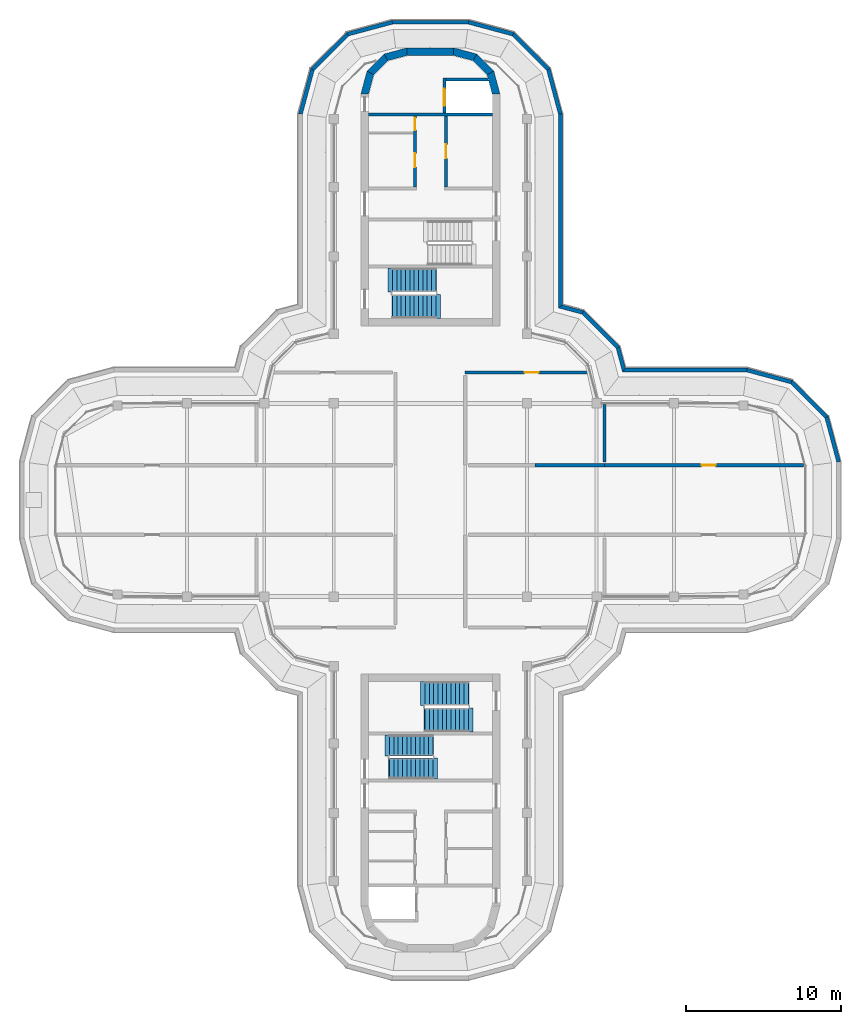
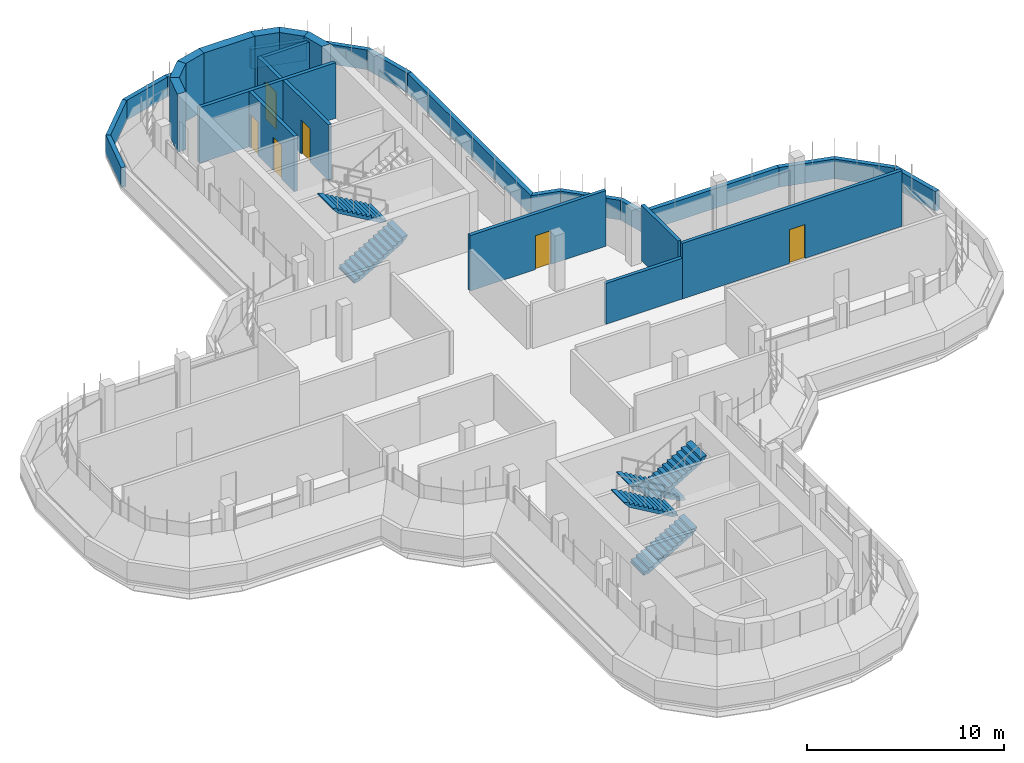
# One storey, part 14 of 19: 31 walls, 6 doors, 6 stair flights, 6 openings, 3 elements without a shape of their own.
"""IFC4 building model written with IfcOpenShell, lengths in metres."""

from ifc_helpers import new_model, si_unit, direction, frame, frame_2d, origin, place, context, subcontext, project, spatial, polyline, rectangle, outline, extrude, material, layer, layer_set, type_object, element, fill, aggregate, save


model = new_model("IFC4")

# Units and contexts
model_context = context("Model", 3, precision=1e-05, world=origin(), true_north=direction((0.0, 1.0)))
body_context = subcontext(model_context, "Body", "Model", "MODEL_VIEW")
ifc_project = project(units=[si_unit("LENGTHUNIT", "METRE"), si_unit("AREAUNIT", "SQUARE_METRE"), si_unit("VOLUMEUNIT", "CUBIC_METRE"), si_unit("PLANEANGLEUNIT", "RADIAN"), si_unit("MASSUNIT", "GRAM", prefix="KILO")], contexts=[model_context])

# Site, building, storey
site_placement = place(None, origin())
site = spatial("IfcSite", under=ifc_project, at=site_placement, CompositionType="ELEMENT")
building_placement = place(site_placement, origin())
building = spatial("IfcBuilding", under=site, at=building_placement, Name="Zarbagh Exchange Tower", CompositionType="ELEMENT")
storey_placement = place(building_placement, frame((0.0, 0.0, 295.199951171875)))
storey = spatial("IfcBuildingStorey", under=building, at=storey_placement, Name="L72", CompositionType="ELEMENT", Elevation=295.199951171875)

# Wall, opening, door
ifc_material_1 = material(Name="Concrete block partition", Category="concrete")
ifc_layer_1 = layer(ifc_material_1, 0.199951171875)
ifc_layer_set_1 = layer_set([ifc_layer_1], Name="Fire-rated block partition 200 EI 60")
wall_type_1 = type_object("IfcWallType", Name="Fire-rated block partition 200 EI 60", PredefinedType="PARTITIONING", material=ifc_layer_set_1)
wall_1_placement = place(storey_placement, frame((10.238037109375, 8.25, 0.0), z_axis=(0.0, 0.0, 1.0), x_axis=(-1.0, 0.0, 0.0)))
wall_1 = element("IfcWall", 1, at=wall_1_placement, inside=storey, type_object=wall_type_1, Name="WL-L72-W001", PredefinedType="PARTITIONING", context=body_context, shape_type="SweptSolid", body=[
    extrude(rectangle(XDim=7.988037109375, YDim=0.199951171875, at=frame_2d((3.994140625, 0.0))), origin(), (0.0, 0.0, 1.0), 3.449951171875),
])
opening_1_placement = place(wall_1_placement, frame((3.239013671875, 0.0, 0.0)))
opening_1 = element("IfcOpeningElement", 2, at=opening_1_placement, cuts=wall_1, Name="Opening D01", PredefinedType="OPENING", context=body_context, shape_type="SweptSolid", body=[
    extrude(rectangle(XDim=0.89990234375, YDim=2.10009765625, at=frame_2d((0.449951171875, 1.050048828125))), frame((0.0, 0.10986328125, 0.0), z_axis=(0.0, -1.0, 0.0), x_axis=(1.0, 0.0, 0.0)), (0.0, 0.0, 1.0), 0.219970703125),
])
ifc_material_2 = material(Name="Steel door set", Category="steel")
door_type_1 = type_object("IfcDoorType", Name="Door single 900x2100 EI 60", OperationType="SINGLE_SWING_LEFT", PredefinedType="DOOR", material=ifc_material_2)
door_1_placement = place(opening_1_placement, origin())
door_1 = element("IfcDoor", 3, at=door_1_placement, inside=storey, type_object=door_type_1, Name="D01", OperationType="SINGLE_SWING_LEFT", OverallHeight=2.10009765625, OverallWidth=0.89990234375, PredefinedType="DOOR", context=body_context, shape_type="SweptSolid", body=[
    extrude(rectangle(XDim=0.89990234375, YDim=2.10009765625, at=frame_2d((0.449951171875, 1.050048828125))), frame((0.0, 0.02490234375, 0.0), z_axis=(0.0, -1.0, 0.0), x_axis=(1.0, 0.0, 0.0)), (0.0, 0.0, 1.0), 0.050048828125),
])
fill(opening_1, door_1)

# Walls
wall_2_placement = place(storey_placement, frame((11.25, 2.25, 0.0), z_axis=(0.0, 0.0, 1.0), x_axis=(-1.0, 0.0, 0.0)))
element("IfcWall", 4, at=wall_2_placement, inside=storey, type_object=wall_type_1, Name="WL-L72-W009", PredefinedType="PARTITIONING", context=body_context, shape_type="SweptSolid", body=[
    extrude(rectangle(XDim=4.5, YDim=0.199951171875, at=frame_2d((2.25, 0.0))), origin(), (0.0, 0.0, 1.0), 2.530029296875),
])
wall_3_placement = place(storey_placement, frame((11.25, 6.169921875, 0.0), z_axis=(0.0, 0.0, 1.0), x_axis=(0.0, -1.0, 0.0)))
element("IfcWall", 5, at=wall_3_placement, inside=storey, type_object=wall_type_1, Name="WL-L72-W010", PredefinedType="PARTITIONING", context=body_context, shape_type="SweptSolid", body=[
    extrude(rectangle(XDim=3.719970703125, YDim=0.199951171875, at=frame_2d((1.85986328125, 0.0))), origin(), (0.0, 0.0, 1.0), 3.449951171875),
])

# Wall, opening, door
wall_4_placement = place(storey_placement, frame((11.25, 2.25, 0.0), z_axis=(0.0, 0.0, 1.0), x_axis=(1.0, 0.0, 0.0)))
wall_4 = element("IfcWall", 6, at=wall_4_placement, inside=storey, type_object=wall_type_1, Name="WL-L72-W021", PredefinedType="PARTITIONING", context=body_context, shape_type="SweptSolid", body=[
    extrude(rectangle(XDim=12.889892578125, YDim=0.199951171875, at=frame_2d((6.44482421875, 0.0))), origin(), (0.0, 0.0, 1.0), 3.449951171875),
])
opening_2_placement = place(wall_4_placement, frame((6.300048828125, 0.0, 0.0)))
opening_2 = element("IfcOpeningElement", 7, at=opening_2_placement, cuts=wall_4, Name="Opening D42", PredefinedType="OPENING", context=body_context, shape_type="SweptSolid", body=[
    extrude(rectangle(XDim=0.89990234375, YDim=2.10009765625, at=frame_2d((0.449951171875, 1.050048828125))), frame((0.0, 0.10986328125, 0.0), z_axis=(0.0, -1.0, 0.0), x_axis=(1.0, 0.0, 0.0)), (0.0, 0.0, 1.0), 0.219970703125),
])
door_2_placement = place(opening_2_placement, origin())
door_2 = element("IfcDoor", 8, at=door_2_placement, inside=storey, type_object=door_type_1, Name="D05", OperationType="SINGLE_SWING_LEFT", OverallHeight=2.10009765625, OverallWidth=0.89990234375, PredefinedType="DOOR", context=body_context, shape_type="SweptSolid", body=[
    extrude(rectangle(XDim=0.89990234375, YDim=2.10009765625, at=frame_2d((0.449951171875, 1.050048828125))), frame((0.0, 0.02490234375, 0.0), z_axis=(0.0, -1.0, 0.0), x_axis=(1.0, 0.0, 0.0)), (0.0, 0.0, 1.0), 0.050048828125),
])
fill(opening_2, door_2)

# Walls
ifc_material_3 = material(Name="Concrete C40/50", Category="concrete")
ifc_layer_2 = layer(ifc_material_3, 0.25)
ifc_layer_set_2 = layer_set([ifc_layer_2], Name="Parapet wall, concrete C40/50")
wall_type_2 = type_object("IfcWallType", Name="Parapet wall, concrete C40/50", PredefinedType="PARAPET", material=ifc_layer_set_2)
wall_5_placement = place(storey_placement, origin())
element("IfcWall", 9, at=wall_5_placement, inside=storey, type_object=wall_type_2, Name="roof parapet", PredefinedType="PARAPET", context=body_context, shape_type="SweptSolid", body=[
    extrude(outline(polyline([(-8.530029296875, 24.984375), (-7.742919921875, 27.92138671875), (-7.518798828125, 27.7919921875), (-8.280029296875, 24.951416015625), (-8.530029296875, 24.984375)])), origin(), (0.0, 0.0, 1.0), 1.219970703125),
])
wall_6_placement = place(storey_placement, origin())
element("IfcWall", 10, at=wall_6_placement, inside=storey, type_object=wall_type_2, Name="roof parapet", PredefinedType="PARAPET", context=body_context, shape_type="SweptSolid", body=[
    extrude(outline(polyline([(-7.742919921875, 27.92138671875), (-5.42138671875, 30.242919921875), (-5.2919921875, 30.018798828125), (-7.518798828125, 27.7919921875), (-7.742919921875, 27.92138671875)])), origin(), (0.0, 0.0, 1.0), 1.219970703125),
])
wall_7_placement = place(storey_placement, origin())
element("IfcWall", 11, at=wall_7_placement, inside=storey, type_object=wall_type_2, Name="roof parapet", PredefinedType="PARAPET", context=body_context, shape_type="SweptSolid", body=[
    extrude(outline(polyline([(-5.42138671875, 30.242919921875), (-2.484375, 31.030029296875), (-2.451416015625, 30.780029296875), (-5.2919921875, 30.018798828125), (-5.42138671875, 30.242919921875)])), origin(), (0.0, 0.0, 1.0), 1.219970703125),
])
wall_8_placement = place(storey_placement, origin())
element("IfcWall", 12, at=wall_8_placement, inside=storey, type_object=wall_type_2, Name="roof parapet", PredefinedType="PARAPET", context=body_context, shape_type="SweptSolid", body=[
    extrude(outline(polyline([(-2.484375, 31.030029296875), (2.484375, 31.030029296875), (2.451416015625, 30.780029296875), (-2.451416015625, 30.780029296875), (-2.484375, 31.030029296875)])), origin(), (0.0, 0.0, 1.0), 1.219970703125),
])
wall_9_placement = place(storey_placement, origin())
element("IfcWall", 13, at=wall_9_placement, inside=storey, type_object=wall_type_2, Name="roof parapet", PredefinedType="PARAPET", context=body_context, shape_type="SweptSolid", body=[
    extrude(outline(polyline([(2.484375, 31.030029296875), (5.42138671875, 30.242919921875), (5.2919921875, 30.018798828125), (2.451416015625, 30.780029296875), (2.484375, 31.030029296875)])), origin(), (0.0, 0.0, 1.0), 1.219970703125),
])
wall_10_placement = place(storey_placement, origin())
element("IfcWall", 14, at=wall_10_placement, inside=storey, type_object=wall_type_2, Name="roof parapet", PredefinedType="PARAPET", context=body_context, shape_type="SweptSolid", body=[
    extrude(outline(polyline([(5.42138671875, 30.242919921875), (7.742919921875, 27.92138671875), (7.518798828125, 27.7919921875), (5.2919921875, 30.018798828125), (5.42138671875, 30.242919921875)])), origin(), (0.0, 0.0, 1.0), 1.219970703125),
])
wall_11_placement = place(storey_placement, origin())
element("IfcWall", 15, at=wall_11_placement, inside=storey, type_object=wall_type_2, Name="roof parapet", PredefinedType="PARAPET", context=body_context, shape_type="SweptSolid", body=[
    extrude(outline(polyline([(7.742919921875, 27.92138671875), (8.530029296875, 24.984375), (8.280029296875, 24.951416015625), (7.518798828125, 27.7919921875), (7.742919921875, 27.92138671875)])), origin(), (0.0, 0.0, 1.0), 1.219970703125),
])
wall_12_placement = place(storey_placement, origin())
element("IfcWall", 16, at=wall_12_placement, inside=storey, type_object=wall_type_2, Name="roof parapet", PredefinedType="PARAPET", context=body_context, shape_type="SweptSolid", body=[
    extrude(outline(polyline([(8.530029296875, 24.984375), (8.530029296875, 12.61572265625), (8.280029296875, 12.424072265625), (8.280029296875, 24.951416015625), (8.530029296875, 24.984375)])), origin(), (0.0, 0.0, 1.0), 1.219970703125),
])
wall_13_placement = place(storey_placement, origin())
element("IfcWall", 17, at=wall_13_placement, inside=storey, type_object=wall_type_2, Name="roof parapet", PredefinedType="PARAPET", context=body_context, shape_type="SweptSolid", body=[
    extrude(outline(polyline([(8.530029296875, 12.61572265625), (9.92138671875, 12.242919921875), (9.7919921875, 12.018798828125), (8.280029296875, 12.424072265625), (8.530029296875, 12.61572265625)])), origin(), (0.0, 0.0, 1.0), 1.219970703125),
])
wall_14_placement = place(storey_placement, origin())
element("IfcWall", 18, at=wall_14_placement, inside=storey, type_object=wall_type_2, Name="roof parapet", PredefinedType="PARAPET", context=body_context, shape_type="SweptSolid", body=[
    extrude(outline(polyline([(9.92138671875, 12.242919921875), (12.242919921875, 9.92138671875), (12.018798828125, 9.7919921875), (9.7919921875, 12.018798828125), (9.92138671875, 12.242919921875)])), origin(), (0.0, 0.0, 1.0), 1.219970703125),
])
wall_15_placement = place(storey_placement, origin())
element("IfcWall", 19, at=wall_15_placement, inside=storey, type_object=wall_type_2, Name="roof parapet", PredefinedType="PARAPET", context=body_context, shape_type="SweptSolid", body=[
    extrude(outline(polyline([(12.242919921875, 9.92138671875), (12.61572265625, 8.530029296875), (12.424072265625, 8.280029296875), (12.018798828125, 9.7919921875), (12.242919921875, 9.92138671875)])), origin(), (0.0, 0.0, 1.0), 1.219970703125),
])
wall_16_placement = place(storey_placement, origin())
element("IfcWall", 20, at=wall_16_placement, inside=storey, type_object=wall_type_2, Name="roof parapet", PredefinedType="PARAPET", context=body_context, shape_type="SweptSolid", body=[
    extrude(outline(polyline([(12.61572265625, 8.530029296875), (20.484375, 8.530029296875), (20.451416015625, 8.280029296875), (12.424072265625, 8.280029296875), (12.61572265625, 8.530029296875)])), origin(), (0.0, 0.0, 1.0), 1.219970703125),
])
wall_17_placement = place(storey_placement, origin())
element("IfcWall", 21, at=wall_17_placement, inside=storey, type_object=wall_type_2, Name="roof parapet", PredefinedType="PARAPET", context=body_context, shape_type="SweptSolid", body=[
    extrude(outline(polyline([(20.484375, 8.530029296875), (23.42138671875, 7.742919921875), (23.2919921875, 7.518798828125), (20.451416015625, 8.280029296875), (20.484375, 8.530029296875)])), origin(), (0.0, 0.0, 1.0), 1.219970703125),
])
wall_18_placement = place(storey_placement, origin())
element("IfcWall", 22, at=wall_18_placement, inside=storey, type_object=wall_type_2, Name="roof parapet", PredefinedType="PARAPET", context=body_context, shape_type="SweptSolid", body=[
    extrude(outline(polyline([(23.42138671875, 7.742919921875), (25.742919921875, 5.42138671875), (25.518798828125, 5.2919921875), (23.2919921875, 7.518798828125), (23.42138671875, 7.742919921875)])), origin(), (0.0, 0.0, 1.0), 1.219970703125),
])
wall_19_placement = place(storey_placement, origin())
element("IfcWall", 23, at=wall_19_placement, inside=storey, type_object=wall_type_2, Name="roof parapet", PredefinedType="PARAPET", context=body_context, shape_type="SweptSolid", body=[
    extrude(outline(polyline([(25.742919921875, 5.42138671875), (26.530029296875, 2.484375), (26.280029296875, 2.451416015625), (25.518798828125, 5.2919921875), (25.742919921875, 5.42138671875)])), origin(), (0.0, 0.0, 1.0), 1.219970703125),
])
ifc_layer_3 = layer(ifc_material_3, 0.5)
ifc_layer_set_3 = layer_set([ifc_layer_3], Name="RC core corner wall 500 C40/50")
wall_type_3 = type_object("IfcWallType", Name="RC core corner wall 500 C40/50", PredefinedType="SHEAR", material=ifc_layer_set_3)
wall_20_placement = place(storey_placement, origin())
element("IfcWall", 24, at=wall_20_placement, inside=storey, type_object=wall_type_3, Name="CW10 core N corner W", PredefinedType="SHEAR", context=body_context, shape_type="SweptSolid", body=[
    extrude(outline(polyline([(-4.5, 26.25), (-4.09814453125, 27.75), (-3.6650390625, 27.5), (-4.0, 26.25), (-4.5, 26.25)])), origin(), (0.0, 0.0, 1.0), 3.60009765625),
])
wall_21_placement = place(storey_placement, origin())
element("IfcWall", 25, at=wall_21_placement, inside=storey, type_object=wall_type_3, Name="CW10 core N corner W", PredefinedType="SHEAR", context=body_context, shape_type="SweptSolid", body=[
    extrude(outline(polyline([(-4.09814453125, 27.75), (-3.0, 28.84814453125), (-2.75, 28.4150390625), (-3.6650390625, 27.5), (-4.09814453125, 27.75)])), origin(), (0.0, 0.0, 1.0), 3.60009765625),
])
wall_22_placement = place(storey_placement, origin())
element("IfcWall", 26, at=wall_22_placement, inside=storey, type_object=wall_type_3, Name="CW10 core N corner W", PredefinedType="SHEAR", context=body_context, shape_type="SweptSolid", body=[
    extrude(outline(polyline([(-3.0, 28.84814453125), (-1.5, 29.25), (-1.5, 28.75), (-2.75, 28.4150390625), (-3.0, 28.84814453125)])), origin(), (0.0, 0.0, 1.0), 3.60009765625),
])
wall_23_placement = place(storey_placement, origin())
element("IfcWall", 27, at=wall_23_placement, inside=storey, type_object=wall_type_3, Name="CW10 core N corner E", PredefinedType="SHEAR", context=body_context, shape_type="SweptSolid", body=[
    extrude(outline(polyline([(4.5, 26.25), (4.09814453125, 27.75), (3.6650390625, 27.5), (4.0, 26.25), (4.5, 26.25)])), origin(), (0.0, 0.0, 1.0), 3.60009765625),
])
wall_24_placement = place(storey_placement, origin())
element("IfcWall", 28, at=wall_24_placement, inside=storey, type_object=wall_type_3, Name="CW10 core N corner E", PredefinedType="SHEAR", context=body_context, shape_type="SweptSolid", body=[
    extrude(outline(polyline([(4.09814453125, 27.75), (3.0, 28.84814453125), (2.75, 28.4150390625), (3.6650390625, 27.5), (4.09814453125, 27.75)])), origin(), (0.0, 0.0, 1.0), 3.60009765625),
])
wall_25_placement = place(storey_placement, origin())
element("IfcWall", 29, at=wall_25_placement, inside=storey, type_object=wall_type_3, Name="CW10 core N corner E", PredefinedType="SHEAR", context=body_context, shape_type="SweptSolid", body=[
    extrude(outline(polyline([(3.0, 28.84814453125), (1.5, 29.25), (1.5, 28.75), (2.75, 28.4150390625), (3.0, 28.84814453125)])), origin(), (0.0, 0.0, 1.0), 3.60009765625),
])
ifc_layer_4 = layer(ifc_material_3, 0.5)
ifc_layer_set_4 = layer_set([ifc_layer_4], Name="RC core wall 500 C40/50")
wall_type_4 = type_object("IfcWallType", Name="RC core wall 500 C40/50", PredefinedType="SHEAR", material=ifc_layer_set_4)
wall_26_placement = place(storey_placement, frame((-1.5, 29.0, 0.0), z_axis=(0.0, 0.0, 1.0), x_axis=(1.0, 0.0, 0.0)))
element("IfcWall", 30, at=wall_26_placement, inside=storey, type_object=wall_type_4, Name="CW9 core N outer end", PredefinedType="SHEAR", context=body_context, shape_type="SweptSolid", body=[
    extrude(rectangle(XDim=3.0, YDim=0.5, at=frame_2d((1.5, 0.0))), origin(), (0.0, 0.0, 1.0), 3.60009765625),
])

# Wall, openings, doors
ifc_material_4 = material(Name="Dense blockwork", Category="masonry")
ifc_layer_5 = layer(ifc_material_4, 0.199951171875)
ifc_layer_set_5 = layer_set([ifc_layer_5], Name="Shaft wall 200 mm blockwork")
wall_type_5 = type_object("IfcWallType", Name="Shaft wall 200 mm blockwork", PredefinedType="PARTITIONING", material=ifc_layer_set_5)
wall_27_placement = place(storey_placement, frame((-1.0, 24.85009765625, 0.0), z_axis=(0.0, 0.0, 1.0), x_axis=(0.0, -1.0, 0.0)))
wall_27 = element("IfcWall", 31, at=wall_27_placement, inside=storey, type_object=wall_type_5, Name="North core shaft wall LW-W", PredefinedType="PARTITIONING", context=body_context, shape_type="SweptSolid", body=[
    extrude(rectangle(XDim=4.60009765625, YDim=0.199951171875, at=frame_2d((2.300048828125, 0.0))), origin(), (0.0, 0.0, 1.0), 3.449951171875),
])
opening_3_placement = place(wall_27_placement, frame((0.125, 0.0, 0.0)))
opening_3 = element("IfcOpeningElement", 32, at=opening_3_placement, cuts=wall_27, Name="Opening CD3-800", PredefinedType="OPENING", context=body_context, shape_type="SweptSolid", body=[
    extrude(rectangle(XDim=0.800048828125, YDim=2.10009765625, at=frame_2d((0.39990234375, 1.050048828125))), frame((0.0, 0.10986328125, 0.0), z_axis=(0.0, -1.0, 0.0), x_axis=(1.0, 0.0, 0.0)), (0.0, 0.0, 1.0), 0.219970703125),
])
opening_4_placement = place(wall_27_placement, frame((2.425048828125, 0.0, 0.0)))
opening_4 = element("IfcOpeningElement", 33, at=opening_4_placement, cuts=wall_27, Name="Opening CD3-900", PredefinedType="OPENING", context=body_context, shape_type="SweptSolid", body=[
    extrude(rectangle(XDim=0.89990234375, YDim=2.10009765625, at=frame_2d((0.449951171875, 1.050048828125))), frame((0.0, 0.10986328125, 0.0), z_axis=(0.0, -1.0, 0.0), x_axis=(1.0, 0.0, 0.0)), (0.0, 0.0, 1.0), 0.219970703125),
])
ifc_material_5 = material(Name="Steel", Category="steel")
door_type_2 = type_object("IfcDoorType", Name="Core room door 800 x 2100", OperationType="NOTDEFINED", PredefinedType="DOOR", material=ifc_material_5)
door_3_placement = place(opening_3_placement, origin())
door_3 = element("IfcDoor", 34, at=door_3_placement, inside=storey, type_object=door_type_2, Name="North core Plant room door RD-W-0", OperationType="SINGLE_SWING_RIGHT", OverallHeight=2.10009765625, OverallWidth=0.800048828125, PredefinedType="DOOR", context=body_context, shape_type="SweptSolid", body=[
    extrude(rectangle(XDim=0.800048828125, YDim=2.10009765625, at=frame_2d((0.39990234375, 1.050048828125))), frame((0.0, 0.02490234375, 0.0), z_axis=(0.0, -1.0, 0.0), x_axis=(1.0, 0.0, 0.0)), (0.0, 0.0, 1.0), 0.050048828125),
])
fill(opening_3, door_3)
door_type_3 = type_object("IfcDoorType", Name="Core room door 900 x 2100", OperationType="NOTDEFINED", PredefinedType="DOOR", material=ifc_material_5)
door_4_placement = place(opening_4_placement, origin())
door_4 = element("IfcDoor", 35, at=door_4_placement, inside=storey, type_object=door_type_3, Name="North core Mechanical store door RD-W-1", OperationType="SINGLE_SWING_RIGHT", OverallHeight=2.10009765625, OverallWidth=0.89990234375, PredefinedType="DOOR", context=body_context, shape_type="SweptSolid", body=[
    extrude(rectangle(XDim=0.89990234375, YDim=2.10009765625, at=frame_2d((0.449951171875, 1.050048828125))), frame((0.0, 0.02490234375, 0.0), z_axis=(0.0, -1.0, 0.0), x_axis=(1.0, 0.0, 0.0)), (0.0, 0.0, 1.0), 0.050048828125),
])
fill(opening_4, door_4)

# Wall, opening, door
wall_28_placement = place(storey_placement, frame((1.0, 24.85009765625, 0.0), z_axis=(0.0, 0.0, 1.0), x_axis=(0.0, -1.0, 0.0)))
wall_28 = element("IfcWall", 36, at=wall_28_placement, inside=storey, type_object=wall_type_5, Name="North core shaft wall LW-E", PredefinedType="PARTITIONING", context=body_context, shape_type="SweptSolid", body=[
    extrude(rectangle(XDim=4.60009765625, YDim=0.199951171875, at=frame_2d((2.300048828125, 0.0))), origin(), (0.0, 0.0, 1.0), 3.449951171875),
])
opening_5_placement = place(wall_28_placement, frame((1.85009765625, 0.0, 0.0)))
opening_5 = element("IfcOpeningElement", 37, at=opening_5_placement, cuts=wall_28, Name="Opening CD3-900", PredefinedType="OPENING", context=body_context, shape_type="SweptSolid", body=[
    extrude(rectangle(XDim=0.89990234375, YDim=2.10009765625, at=frame_2d((0.449951171875, 1.050048828125))), frame((0.0, 0.10986328125, 0.0), z_axis=(0.0, -1.0, 0.0), x_axis=(1.0, 0.0, 0.0)), (0.0, 0.0, 1.0), 0.219970703125),
])
door_5_placement = place(opening_5_placement, origin())
door_5 = element("IfcDoor", 38, at=door_5_placement, inside=storey, type_object=door_type_3, Name="North core Plant room door RD-E-0", OperationType="SINGLE_SWING_LEFT", OverallHeight=2.10009765625, OverallWidth=0.89990234375, PredefinedType="DOOR", context=body_context, shape_type="SweptSolid", body=[
    extrude(rectangle(XDim=0.89990234375, YDim=2.10009765625, at=frame_2d((0.449951171875, 1.050048828125))), frame((0.0, 0.02490234375, 0.0), z_axis=(0.0, -1.0, 0.0), x_axis=(1.0, 0.0, 0.0)), (0.0, 0.0, 1.0), 0.050048828125),
])
fill(opening_5, door_5)

# Wall
ifc_layer_6 = layer(ifc_material_3, 0.199951171875)
ifc_layer_set_6 = layer_set([ifc_layer_6], Name="Stair enclosure wall 200 mm RC C40/50")
wall_type_6 = type_object("IfcWallType", Name="Stair enclosure wall 200 mm RC C40/50", PredefinedType="SHEAR", material=ifc_layer_set_6)
wall_29_placement = place(storey_placement, frame((-4.0, 24.949951171875, 0.0), z_axis=(0.0, 0.0, 1.0), x_axis=(1.0, 0.0, 0.0)))
element("IfcWall", 39, at=wall_29_placement, inside=storey, type_object=wall_type_6, Name="North core lift shaft wall FFA", PredefinedType="SHEAR", context=body_context, shape_type="SweptSolid", body=[
    extrude(rectangle(XDim=8.0, YDim=0.199951171875, at=frame_2d((4.0, 0.0))), origin(), (0.0, 0.0, 1.0), 3.449951171875),
])

# Wall, opening, door
wall_30_placement = place(storey_placement, frame((0.89990234375, 27.300048828125, 0.0), z_axis=(0.0, 0.0, 1.0), x_axis=(0.0, -1.0, 0.0)))
wall_30 = element("IfcWall", 40, at=wall_30_placement, inside=storey, type_object=wall_type_6, Name="North core lift shaft wall FFL", PredefinedType="SHEAR", context=body_context, shape_type="SweptSolid", body=[
    extrude(rectangle(XDim=2.25, YDim=0.199951171875, at=frame_2d((1.125, 0.0))), origin(), (0.0, 0.0, 1.0), 3.449951171875),
])
opening_6_placement = place(wall_30_placement, frame((0.699951171875, 0.0, 0.0)))
opening_6 = element("IfcOpeningElement", 41, at=opening_6_placement, cuts=wall_30, Name="Opening LD-1100", PredefinedType="OPENING", context=body_context, shape_type="SweptSolid", body=[
    extrude(rectangle(XDim=1.10009765625, YDim=2.300048828125, at=frame_2d((0.550048828125, 1.14990234375))), frame((0.0, 0.10986328125, 0.0), z_axis=(0.0, -1.0, 0.0), x_axis=(1.0, 0.0, 0.0)), (0.0, 0.0, 1.0), 0.219970703125),
])
ifc_material_6 = material(Name="Stainless steel", Category="steel")
door_type_4 = type_object("IfcDoorType", Name="Lift landing door 1100 x 2300", OperationType="NOTDEFINED", PredefinedType="DOOR", material=ifc_material_6)
door_6_placement = place(opening_6_placement, origin())
door_6 = element("IfcDoor", 42, at=door_6_placement, inside=storey, type_object=door_type_4, Name="North core lift landing door LD-F", OperationType="DOUBLE_DOOR_SLIDING", OverallHeight=2.300048828125, OverallWidth=1.10009765625, PredefinedType="DOOR", context=body_context, shape_type="SweptSolid", body=[
    extrude(rectangle(XDim=1.10009765625, YDim=2.300048828125, at=frame_2d((0.550048828125, 1.14990234375))), frame((0.0, 0.02490234375, 0.0), z_axis=(0.0, -1.0, 0.0), x_axis=(1.0, 0.0, 0.0)), (0.0, 0.0, 1.0), 0.050048828125),
])
fill(opening_6, door_6)

# Wall
wall_31_placement = place(storey_placement, origin())
element("IfcWall", 43, at=wall_31_placement, inside=storey, type_object=wall_type_6, Name="North core lift shaft wall FFX", PredefinedType="SHEAR", context=body_context, shape_type="SweptSolid", body=[
    extrude(outline(polyline([(1.0, 27.10009765625), (3.754638671875, 27.10009765625), (3.700927734375, 27.300048828125), (1.0, 27.300048828125), (1.0, 27.10009765625)])), origin(), (0.0, 0.0, 1.0), 3.449951171875),
])

# Stair, stair flights
stair_type = type_object("IfcStairType", Name="Exit stair two-flight half-turn", PredefinedType="HALF_TURN_STAIR", material=ifc_material_3)
stair_1_placement = place(storey_placement, origin())
stair_1 = element("IfcStair", 44, at=stair_1_placement, inside=storey, type_object=stair_type, Name="exit stair ST3", PredefinedType="HALF_TURN_STAIR")
stair_flight_type_1 = type_object("IfcStairFlightType", Name="Stair flight 1350 mm", PredefinedType="STRAIGHT", material=ifc_material_3)
stair_flight_1_placement = place(storey_placement, frame((-2.64990234375, -17.375, 0.0), z_axis=(0.0, 0.0, 1.0), x_axis=(1.0, 0.0, 0.0)))
stair_flight_1 = element("IfcStairFlight", 45, at=stair_flight_1_placement, type_object=stair_flight_type_1, Name="ST3 flight 1", NumberOfRisers=11, NumberOfTreads=10, PredefinedType="STRAIGHT", RiserHeight=0.163636364, TreadLength=0.28, context=body_context, shape_type="SweptSolid", body=[
    extrude(outline(polyline([(-0.050048828125, -0.050048828125), (-0.050048828125, 0.0), (0.0, 0.0), (0.0, 0.16357421875), (0.280029296875, 0.16357421875), (0.280029296875, 0.327392578125), (0.56005859375, 0.327392578125), (0.56005859375, 0.490966796875), (0.840087890625, 0.490966796875), (0.840087890625, 0.654541015625), (1.1201171875, 0.654541015625), (1.1201171875, 0.818115234375), (1.39990234375, 0.818115234375), (1.39990234375, 0.98193359375), (1.679931640625, 0.98193359375), (1.679931640625, 1.1455078125), (1.9599609375, 1.1455078125), (1.9599609375, 1.30908203125), (2.239990234375, 1.30908203125), (2.239990234375, 1.47265625), (2.52001953125, 1.47265625), (2.52001953125, 1.636474609375), (2.800048828125, 1.636474609375), (2.800048828125, 1.800048828125), (3.10009765625, 1.8798828125), (3.10009765625, 1.800048828125), (2.800048828125, 1.462646484375), (0.297119140625, 0.0), (-0.050048828125, -0.050048828125)])), frame((0.0, 0.675048828125, 0.0), z_axis=(0.0, -1.0, 0.0), x_axis=(1.0, 0.0, 0.0)), (0.0, 0.0, 1.0), 1.35009765625),
])
stair_flight_2_placement = place(storey_placement, frame((0.14990234375, -15.875, 1.800048828125), z_axis=(0.0, 0.0, 1.0), x_axis=(-1.0, 0.0, 0.0)))
stair_flight_2 = element("IfcStairFlight", 46, at=stair_flight_2_placement, type_object=stair_flight_type_1, Name="ST3 flight 2", NumberOfRisers=11, NumberOfTreads=10, PredefinedType="STRAIGHT", RiserHeight=0.163636364, TreadLength=0.28, context=body_context, shape_type="SweptSolid", body=[
    extrude(outline(polyline([(-0.050048828125, -0.050048828125), (-0.050048828125, 0.0), (0.0, 0.0), (0.0, 0.16357421875), (0.280029296875, 0.16357421875), (0.280029296875, 0.327392578125), (0.56005859375, 0.327392578125), (0.56005859375, 0.490966796875), (0.840087890625, 0.490966796875), (0.840087890625, 0.654541015625), (1.1201171875, 0.654541015625), (1.1201171875, 0.818115234375), (1.39990234375, 0.818115234375), (1.39990234375, 0.98193359375), (1.679931640625, 0.98193359375), (1.679931640625, 1.1455078125), (1.9599609375, 1.1455078125), (1.9599609375, 1.30908203125), (2.239990234375, 1.30908203125), (2.239990234375, 1.47265625), (2.52001953125, 1.47265625), (2.52001953125, 1.636474609375), (2.800048828125, 1.636474609375), (2.800048828125, 1.800048828125), (3.10009765625, 1.8798828125), (3.10009765625, 1.800048828125), (2.800048828125, 1.462646484375), (0.297119140625, 0.0), (-0.050048828125, -0.050048828125)])), frame((0.0, 0.675048828125, 0.0), z_axis=(0.0, -1.0, 0.0), x_axis=(1.0, 0.0, 0.0)), (0.0, 0.0, 1.0), 1.35009765625),
])
aggregate(stair_1, [stair_flight_1, stair_flight_2])

stair_2_placement = place(storey_placement, origin())
stair_2 = element("IfcStair", 47, at=stair_2_placement, inside=storey, type_object=stair_type, Name="exit stair ST2", PredefinedType="HALF_TURN_STAIR")
stair_flight_type_2 = type_object("IfcStairFlightType", Name="Stair flight 1550 mm", PredefinedType="STRAIGHT", material=ifc_material_3)
stair_flight_3_placement = place(storey_placement, frame((-2.449951171875, 12.52490234375, 0.0), z_axis=(0.0, 0.0, 1.0), x_axis=(1.0, 0.0, 0.0)))
stair_flight_3 = element("IfcStairFlight", 48, at=stair_flight_3_placement, type_object=stair_flight_type_2, Name="ST2 flight 1", NumberOfRisers=11, NumberOfTreads=10, PredefinedType="STRAIGHT", RiserHeight=0.163636364, TreadLength=0.28, context=body_context, shape_type="SweptSolid", body=[
    extrude(outline(polyline([(-0.050048828125, -0.050048828125), (-0.050048828125, 0.0), (0.0, 0.0), (0.0, 0.16357421875), (0.280029296875, 0.16357421875), (0.280029296875, 0.327392578125), (0.56005859375, 0.327392578125), (0.56005859375, 0.490966796875), (0.840087890625, 0.490966796875), (0.840087890625, 0.654541015625), (1.1201171875, 0.654541015625), (1.1201171875, 0.818115234375), (1.39990234375, 0.818115234375), (1.39990234375, 0.98193359375), (1.679931640625, 0.98193359375), (1.679931640625, 1.1455078125), (1.9599609375, 1.1455078125), (1.9599609375, 1.30908203125), (2.239990234375, 1.30908203125), (2.239990234375, 1.47265625), (2.52001953125, 1.47265625), (2.52001953125, 1.636474609375), (2.800048828125, 1.636474609375), (2.800048828125, 1.800048828125), (3.10009765625, 1.8798828125), (3.10009765625, 1.800048828125), (2.800048828125, 1.462646484375), (0.297119140625, 0.0), (-0.050048828125, -0.050048828125)])), frame((0.0, 0.77490234375, 0.0), z_axis=(0.0, -1.0, 0.0), x_axis=(1.0, 0.0, 0.0)), (0.0, 0.0, 1.0), 1.550048828125),
])
stair_flight_4_placement = place(storey_placement, frame((0.35009765625, 14.22509765625, 1.800048828125), z_axis=(0.0, 0.0, 1.0), x_axis=(-1.0, 0.0, 0.0)))
stair_flight_4 = element("IfcStairFlight", 49, at=stair_flight_4_placement, type_object=stair_flight_type_2, Name="ST2 flight 2", NumberOfRisers=11, NumberOfTreads=10, PredefinedType="STRAIGHT", RiserHeight=0.163636364, TreadLength=0.28, context=body_context, shape_type="SweptSolid", body=[
    extrude(outline(polyline([(-0.050048828125, -0.050048828125), (-0.050048828125, 0.0), (0.0, 0.0), (0.0, 0.16357421875), (0.280029296875, 0.16357421875), (0.280029296875, 0.327392578125), (0.56005859375, 0.327392578125), (0.56005859375, 0.490966796875), (0.840087890625, 0.490966796875), (0.840087890625, 0.654541015625), (1.1201171875, 0.654541015625), (1.1201171875, 0.818115234375), (1.39990234375, 0.818115234375), (1.39990234375, 0.98193359375), (1.679931640625, 0.98193359375), (1.679931640625, 1.1455078125), (1.9599609375, 1.1455078125), (1.9599609375, 1.30908203125), (2.239990234375, 1.30908203125), (2.239990234375, 1.47265625), (2.52001953125, 1.47265625), (2.52001953125, 1.636474609375), (2.800048828125, 1.636474609375), (2.800048828125, 1.800048828125), (3.10009765625, 1.8798828125), (3.10009765625, 1.800048828125), (2.800048828125, 1.462646484375), (0.297119140625, 0.0), (-0.050048828125, -0.050048828125)])), frame((0.0, 0.77490234375, 0.0), z_axis=(0.0, -1.0, 0.0), x_axis=(1.0, 0.0, 0.0)), (0.0, 0.0, 1.0), 1.550048828125),
])
aggregate(stair_2, [stair_flight_3, stair_flight_4])

stair_3_placement = place(storey_placement, origin())
stair_3 = element("IfcStair", 50, at=stair_3_placement, inside=storey, type_object=stair_type, Name="exit stair ST4", PredefinedType="HALF_TURN_STAIR")
stair_flight_5_placement = place(storey_placement, frame((2.449951171875, -12.52490234375, 0.0), z_axis=(0.0, 0.0, 1.0), x_axis=(-1.0, 0.0, 0.0)))
stair_flight_5 = element("IfcStairFlight", 51, at=stair_flight_5_placement, type_object=stair_flight_type_2, Name="ST4 flight 1", NumberOfRisers=11, NumberOfTreads=10, PredefinedType="STRAIGHT", RiserHeight=0.163636364, TreadLength=0.28, context=body_context, shape_type="SweptSolid", body=[
    extrude(outline(polyline([(-0.050048828125, -0.050048828125), (-0.050048828125, 0.0), (0.0, 0.0), (0.0, 0.16357421875), (0.280029296875, 0.16357421875), (0.280029296875, 0.327392578125), (0.56005859375, 0.327392578125), (0.56005859375, 0.490966796875), (0.840087890625, 0.490966796875), (0.840087890625, 0.654541015625), (1.1201171875, 0.654541015625), (1.1201171875, 0.818115234375), (1.39990234375, 0.818115234375), (1.39990234375, 0.98193359375), (1.679931640625, 0.98193359375), (1.679931640625, 1.1455078125), (1.9599609375, 1.1455078125), (1.9599609375, 1.30908203125), (2.239990234375, 1.30908203125), (2.239990234375, 1.47265625), (2.52001953125, 1.47265625), (2.52001953125, 1.636474609375), (2.800048828125, 1.636474609375), (2.800048828125, 1.800048828125), (3.10009765625, 1.8798828125), (3.10009765625, 1.800048828125), (2.800048828125, 1.462646484375), (0.297119140625, 0.0), (-0.050048828125, -0.050048828125)])), frame((0.0, 0.77490234375, 0.0), z_axis=(0.0, -1.0, 0.0), x_axis=(1.0, 0.0, 0.0)), (0.0, 0.0, 1.0), 1.550048828125),
])
stair_flight_6_placement = place(storey_placement, frame((-0.35009765625, -14.22509765625, 1.800048828125), z_axis=(0.0, 0.0, 1.0), x_axis=(1.0, 0.0, 0.0)))
stair_flight_6 = element("IfcStairFlight", 52, at=stair_flight_6_placement, type_object=stair_flight_type_2, Name="ST4 flight 2", NumberOfRisers=11, NumberOfTreads=10, PredefinedType="STRAIGHT", RiserHeight=0.163636364, TreadLength=0.28, context=body_context, shape_type="SweptSolid", body=[
    extrude(outline(polyline([(-0.050048828125, -0.050048828125), (-0.050048828125, 0.0), (0.0, 0.0), (0.0, 0.16357421875), (0.280029296875, 0.16357421875), (0.280029296875, 0.327392578125), (0.56005859375, 0.327392578125), (0.56005859375, 0.490966796875), (0.840087890625, 0.490966796875), (0.840087890625, 0.654541015625), (1.1201171875, 0.654541015625), (1.1201171875, 0.818115234375), (1.39990234375, 0.818115234375), (1.39990234375, 0.98193359375), (1.679931640625, 0.98193359375), (1.679931640625, 1.1455078125), (1.9599609375, 1.1455078125), (1.9599609375, 1.30908203125), (2.239990234375, 1.30908203125), (2.239990234375, 1.47265625), (2.52001953125, 1.47265625), (2.52001953125, 1.636474609375), (2.800048828125, 1.636474609375), (2.800048828125, 1.800048828125), (3.10009765625, 1.8798828125), (3.10009765625, 1.800048828125), (2.800048828125, 1.462646484375), (0.297119140625, 0.0), (-0.050048828125, -0.050048828125)])), frame((0.0, 0.77490234375, 0.0), z_axis=(0.0, -1.0, 0.0), x_axis=(1.0, 0.0, 0.0)), (0.0, 0.0, 1.0), 1.550048828125),
])
aggregate(stair_3, [stair_flight_5, stair_flight_6])

save(model, "model.ifc")
